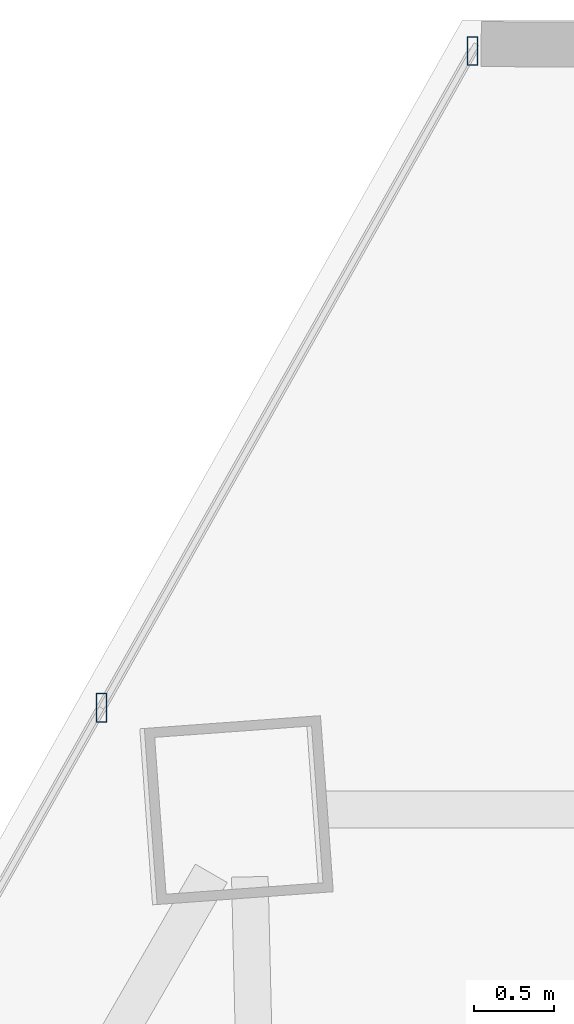
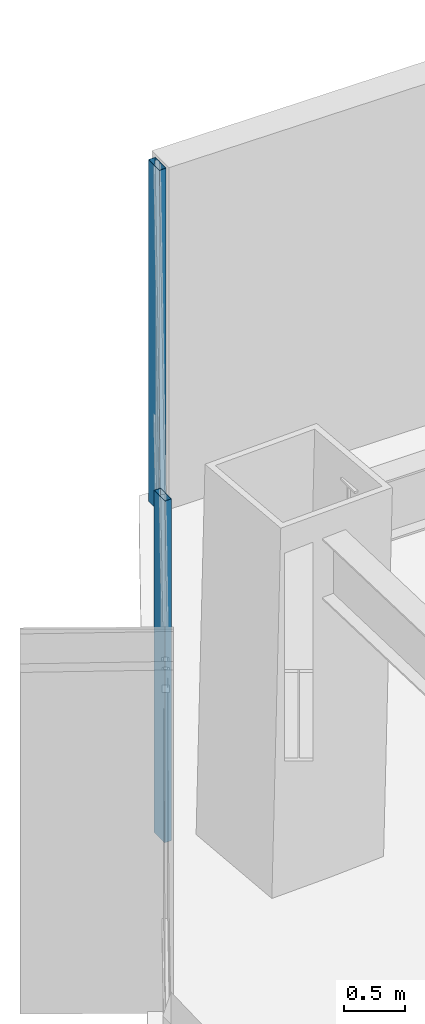
# One storey, part 26 of 36: 2 members, 1 element without a shape of its own.
"""IFC4 building model written with IfcOpenShell, lengths in metres."""

from ifc_helpers import new_model, si_unit, direction, frame, origin, origin_2d, place, context, subcontext, project, spatial, hollow_rectangle, extrude, source, transform, mapped, material, material_profile, profile_set, type_object, type_shapes, element, aggregate, save


model = new_model("IFC4")

# Units and contexts
model_context = context("Model", 3, precision=1e-05, world=origin(), true_north=direction((0.0, 1.0)))
body_context = subcontext(model_context, "Body", "Model", "MODEL_VIEW")
ifc_project = project(units=[si_unit("LENGTHUNIT", "METRE"), si_unit("AREAUNIT", "SQUARE_METRE"), si_unit("VOLUMEUNIT", "CUBIC_METRE"), si_unit("PLANEANGLEUNIT", "RADIAN"), si_unit("MASSUNIT", "GRAM", prefix="KILO")], contexts=[model_context])

# Site, building, storey
site_placement = place(None, origin())
site = spatial("IfcSite", under=ifc_project, at=site_placement, CompositionType="ELEMENT")
building_placement = place(site_placement, origin())
building = spatial("IfcBuilding", under=site, at=building_placement, Name="Caelisora Broadcast Tower", CompositionType="ELEMENT")
storey_placement = place(building_placement, frame((0.0, 0.0, 83.5)))
storey = spatial("IfcBuildingStorey", under=building, at=storey_placement, Name="L21", CompositionType="ELEMENT", Elevation=83.5)

# Curtain wall, members
ifc_material_1 = material(Name="Unitised Aluminium and Low-E Glass Curtain Wall", Category="glass")
curtain_wall_type = type_object("IfcCurtainWallType", Name="CW-Z2", PredefinedType="NOTDEFINED", material=ifc_material_1)
curtain_wall_placement = place(storey_placement, origin())
curtain_wall = element("IfcCurtainWall", 1, at=curtain_wall_placement, inside=storey, type_object=curtain_wall_type, Name="L21 curtain wall CW-Z2", PredefinedType="NOTDEFINED")
ifc_material_2 = material(Name="Aluminium 6063-T6 Anodised Terracotta Bronze", Category="aluminium")
ifc_material_profile = material_profile(ifc_material_2, hollow_rectangle(XDim=0.06494140625, YDim=0.179931640625, WallThickness=0.00341796875, at=origin_2d()), Name="Aluminium 6063-T6 Anodised Terracotta Bronze")
ifc_profile_set = profile_set([ifc_material_profile], Name="Aluminium 6063-T6 Anodised Terracotta Bronze")
member_type = type_object("IfcMemberType", Name="CWM-02", PredefinedType="MULLION", material=ifc_profile_set)
shared_shape = source(origin(), body_context, "Body", "SweptSolid", [
    extrude(hollow_rectangle(XDim=0.06494140625, YDim=0.179931640625, WallThickness=0.00341796875, at=origin_2d()), origin(), (0.0, 0.0, 1.0), 3.39990234375),
])
type_shapes(member_type, [shared_shape])
member_1_placement = place(storey_placement, frame((29.19677734375, 47.009521484375, 0.0), z_axis=(0.0, 0.0, 1.0), x_axis=(1.0, 0.0, 0.0)))
member_1 = element("IfcMember", 2, at=member_1_placement, type_object=member_type, Name="L21-CW-B11 mullion #2", PredefinedType="MULLION", context=body_context, shape_type="MappedRepresentation", body=[
    mapped(shared_shape, transform((0.0, 0.0, 0.0), scale=1.0)),
])
member_2_placement = place(storey_placement, frame((31.50830078125, 51.1025390625, 0.0), z_axis=(0.0, 0.0, 1.0), x_axis=(1.0, 0.0, 0.0)))
member_2 = element("IfcMember", 3, at=member_2_placement, type_object=member_type, Name="L21-CW-B11 mullion #3", PredefinedType="MULLION", context=body_context, shape_type="MappedRepresentation", body=[
    mapped(shared_shape, transform((0.0, 0.0, 0.0), scale=1.0)),
])
aggregate(curtain_wall, [member_1, member_2])

save(model, "model.ifc")
